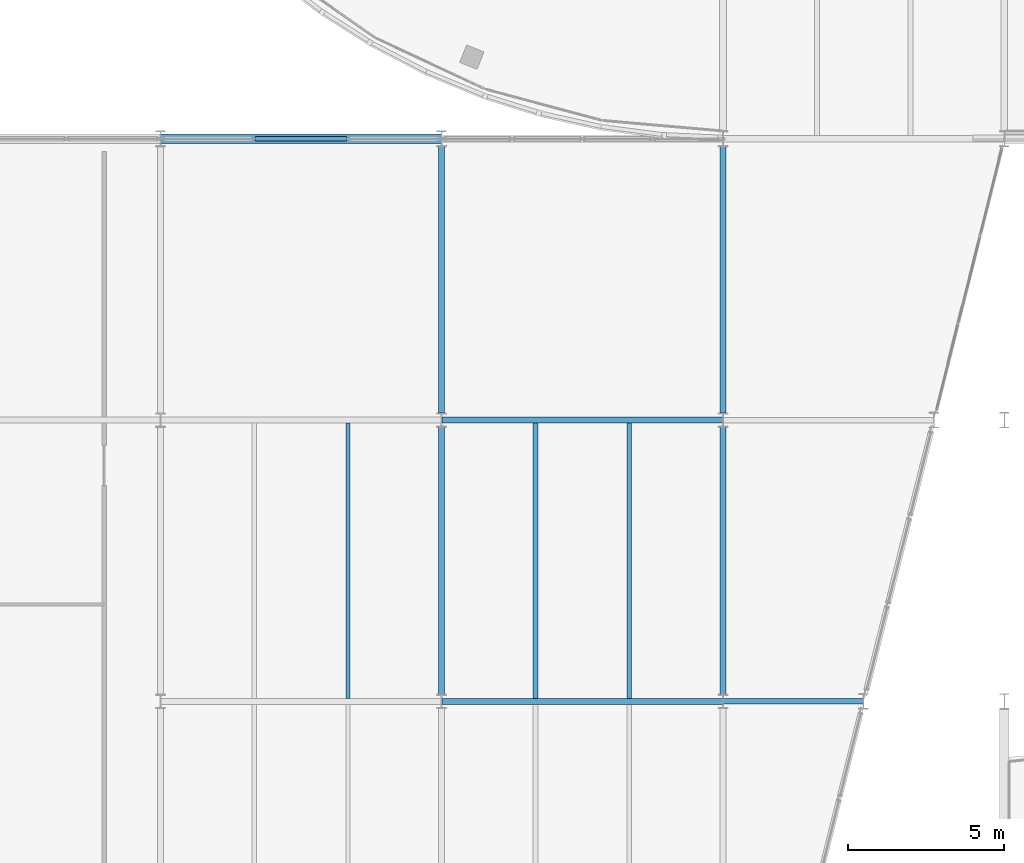
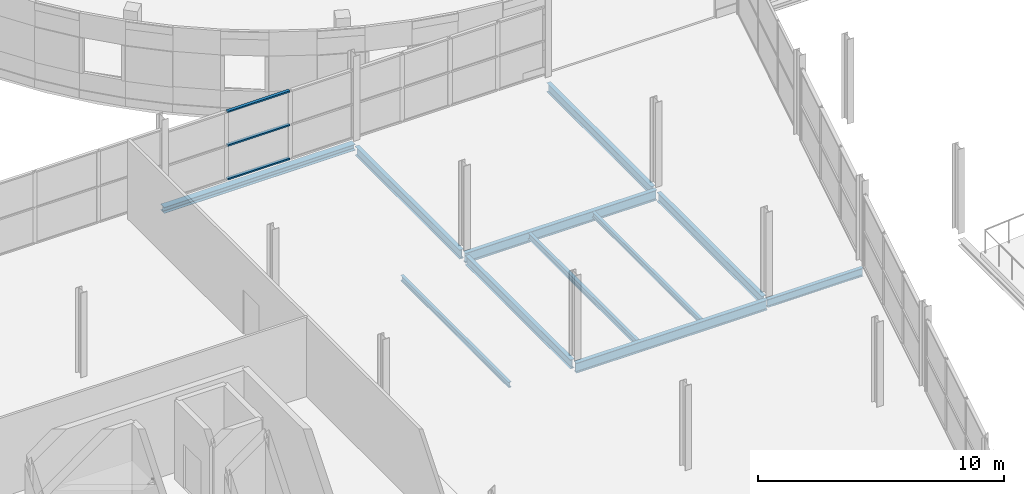
# One storey, part 65 of 135: 11 beams, 3 members, 1 element without a shape of its own.
"""IFC4 building model written with IfcOpenShell, lengths in metres."""

from ifc_helpers import new_model, si_unit, direction, frame, origin, origin_2d, place, context, subcontext, project, spatial, hollow_rectangle, i_section, extrude, material, layer, layer_set, material_profile, profile_set, type_object, element, aggregate, save


model = new_model("IFC4")

# Units and contexts
model_context = context("Model", 3, precision=1e-05, world=origin(), true_north=direction((0.0, 1.0)))
body_context = subcontext(model_context, "Body", "Model", "MODEL_VIEW")
ifc_project = project(units=[si_unit("LENGTHUNIT", "METRE"), si_unit("AREAUNIT", "SQUARE_METRE"), si_unit("VOLUMEUNIT", "CUBIC_METRE"), si_unit("PLANEANGLEUNIT", "RADIAN"), si_unit("MASSUNIT", "GRAM", prefix="KILO")], contexts=[model_context])

# Site, building, storey
site_placement = place(None, origin())
site = spatial("IfcSite", under=ifc_project, at=site_placement, CompositionType="ELEMENT")
building_placement = place(site_placement, origin())
building = spatial("IfcBuilding", under=site, at=building_placement, Name="Deido Ridge Mobility Hub", CompositionType="ELEMENT")
storey_placement = place(building_placement, frame((0.0, 0.0, 4.199951171875)))
storey = spatial("IfcBuildingStorey", under=building, at=storey_placement, Name="L01", CompositionType="ELEMENT", Elevation=4.199951171875)

# Beams
ifc_material_1 = material(Name="Steel S355J2 EN 10025-2", Category="steel")
ifc_material_profile_1 = material_profile(ifc_material_1, i_section(OverallWidth=0.179931640625, OverallDepth=0.39990234375, WebThickness=0.008544921875, FlangeThickness=0.013427734375, FilletRadius=0.02099609375, at=origin_2d()), Name="IPE 400")
ifc_profile_set_1 = profile_set([ifc_material_profile_1], Name="Steel S355J2 EN 10025-2")
beam_type_1 = type_object("IfcBeamType", Name="BM-IPE400", PredefinedType="BEAM", material=ifc_profile_set_1)
beam_1_placement = place(storey_placement, frame((45.007080078125, 63.0, -0.449951171875), z_axis=(1.0, 0.0, 0.0), x_axis=(0.0, 1.0, 0.0)))
element("IfcBeam", 1, at=beam_1_placement, inside=storey, type_object=beam_type_1, Name="Floor beam B5", PredefinedType="BEAM", context=body_context, shape_type="SweptSolid", body=[
    extrude(i_section(OverallWidth=0.179931640625, OverallDepth=0.39990234375, WebThickness=0.008544921875, FlangeThickness=0.013427734375, FilletRadius=0.02099609375, at=origin_2d()), origin(), (0.0, 0.0, 1.0), 4.48583984375),
])
ifc_material_profile_2 = material_profile(ifc_material_1, i_section(OverallWidth=0.18994140625, OverallDepth=0.449951171875, WebThickness=0.009521484375, FlangeThickness=0.0146484375, FilletRadius=0.02099609375, at=origin_2d()), Name="IPE 450")
ifc_profile_set_2 = profile_set([ifc_material_profile_2], Name="Steel S355J2 EN 10025-2")
beam_type_2 = type_object("IfcBeamType", Name="BM-IPE450", PredefinedType="BEAM", material=ifc_profile_set_2)
beam_2_placement = place(storey_placement, frame((36.0, 63.22509765625, -0.474853515625), z_axis=(0.0, 1.0, 0.0), x_axis=(-1.0, 0.0, 0.0)))
element("IfcBeam", 2, at=beam_2_placement, inside=storey, type_object=beam_type_2, Name="Floor beam B4", PredefinedType="BEAM", context=body_context, shape_type="SweptSolid", body=[
    extrude(i_section(OverallWidth=0.18994140625, OverallDepth=0.449951171875, WebThickness=0.009521484375, FlangeThickness=0.0146484375, FilletRadius=0.02099609375, at=origin_2d()), origin(), (0.0, 0.0, 1.0), 8.5498046875),
])
beam_3_placement = place(storey_placement, frame((36.0, 72.22509765625, -0.474853515625), z_axis=(0.0, 1.0, 0.0), x_axis=(-1.0, 0.0, 0.0)))
element("IfcBeam", 3, at=beam_3_placement, inside=storey, type_object=beam_type_2, Name="Floor beam B4", PredefinedType="BEAM", context=body_context, shape_type="SweptSolid", body=[
    extrude(i_section(OverallWidth=0.18994140625, OverallDepth=0.449951171875, WebThickness=0.009521484375, FlangeThickness=0.0146484375, FilletRadius=0.02099609375, at=origin_2d()), origin(), (0.0, 0.0, 1.0), 8.52490234375),
])
beam_4_placement = place(storey_placement, frame((45.0, 63.22509765625, -0.474853515625), z_axis=(0.0, 1.0, 0.0), x_axis=(-1.0, 0.0, 0.0)))
element("IfcBeam", 4, at=beam_4_placement, inside=storey, type_object=beam_type_2, Name="Floor beam B4", PredefinedType="BEAM", context=body_context, shape_type="SweptSolid", body=[
    extrude(i_section(OverallWidth=0.18994140625, OverallDepth=0.449951171875, WebThickness=0.009521484375, FlangeThickness=0.0146484375, FilletRadius=0.02099609375, at=origin_2d()), origin(), (0.0, 0.0, 1.0), 8.5498046875),
])
beam_5_placement = place(storey_placement, frame((45.0, 72.22509765625, -0.474853515625), z_axis=(0.0, 1.0, 0.0), x_axis=(-1.0, 0.0, 0.0)))
element("IfcBeam", 5, at=beam_5_placement, inside=storey, type_object=beam_type_2, Name="Floor beam B4", PredefinedType="BEAM", context=body_context, shape_type="SweptSolid", body=[
    extrude(i_section(OverallWidth=0.18994140625, OverallDepth=0.449951171875, WebThickness=0.009521484375, FlangeThickness=0.0146484375, FilletRadius=0.02099609375, at=origin_2d()), origin(), (0.0, 0.0, 1.0), 8.52490234375),
])
ifc_material_profile_3 = material_profile(ifc_material_1, i_section(OverallWidth=0.199951171875, OverallDepth=0.5, WebThickness=0.01025390625, FlangeThickness=0.01611328125, FilletRadius=0.02099609375, at=origin_2d()), Name="IPE 500")
ifc_profile_set_3 = profile_set([ifc_material_profile_3], Name="Steel S355J2 EN 10025-2")
beam_type_3 = type_object("IfcBeamType", Name="BM-IPE500", PredefinedType="BEAM", material=ifc_profile_set_3)
for number, where, z_axis, x_axis, name in (
    (6, (36.007080078125, 63.0, -0.5), (1.0, 0.0, 0.0), (0.0, 1.0, 0.0), "Floor beam B3"),
    (7, (36.007080078125, 72.0, -0.5), (1.0, 0.0, 0.0), (0.0, 1.0, 0.0), "Floor beam B3"),
):
    element("IfcBeam", number, at=place(storey_placement, frame(where, z_axis=z_axis, x_axis=x_axis)), inside=storey, type_object=beam_type_3, Name=name, PredefinedType="BEAM", context=body_context, shape_type="SweptSolid", body=[
        extrude(i_section(OverallWidth=0.199951171875, OverallDepth=0.5, WebThickness=0.01025390625, FlangeThickness=0.01611328125, FilletRadius=0.02099609375, at=origin_2d()), origin(), (0.0, 0.0, 1.0), 8.98583984375),
    ])
ifc_material_profile_4 = material_profile(ifc_material_1, i_section(OverallWidth=0.135009765625, OverallDepth=0.27001953125, WebThickness=0.006591796875, FlangeThickness=0.01025390625, FilletRadius=0.014892578125, at=origin_2d()), Name="IPE 270")
ifc_profile_set_4 = profile_set([ifc_material_profile_4], Name="Steel S355J2 EN 10025-2")
beam_type_4 = type_object("IfcBeamType", Name="JST-IPE270", PredefinedType="JOIST", material=ifc_profile_set_4)
for number, where, z_axis, x_axis, name in (
    (8, (33.0, 63.10009765625, -0.385009765625), (0.0, 1.0, 0.0), (-1.0, 0.0, 0.0), "Composite joist J4"),
    (9, (42.0, 63.10009765625, -0.385009765625), (0.0, 1.0, 0.0), (-1.0, 0.0, 0.0), "Composite joist J4"),
):
    element("IfcBeam", number, at=place(storey_placement, frame(where, z_axis=z_axis, x_axis=x_axis)), inside=storey, type_object=beam_type_4, Name=name, PredefinedType="JOIST", context=body_context, shape_type="SweptSolid", body=[
        extrude(i_section(OverallWidth=0.135009765625, OverallDepth=0.27001953125, WebThickness=0.006591796875, FlangeThickness=0.01025390625, FilletRadius=0.014892578125, at=origin_2d()), origin(), (0.0, 0.0, 1.0), 8.7998046875),
    ])
ifc_material_profile_5 = material_profile(ifc_material_1, i_section(OverallWidth=0.14990234375, OverallDepth=0.300048828125, WebThickness=0.007080078125, FlangeThickness=0.0107421875, FilletRadius=0.014892578125, at=origin_2d()), Name="IPE 300")
ifc_profile_set_5 = profile_set([ifc_material_profile_5], Name="Steel S355J2 EN 10025-2")
beam_type_5 = type_object("IfcBeamType", Name="JST-IPE300", PredefinedType="JOIST", material=ifc_profile_set_5)
beam_6_placement = place(storey_placement, frame((39.0, 63.10009765625, -0.39990234375), z_axis=(0.0, 1.0, 0.0), x_axis=(-1.0, 0.0, 0.0)))
element("IfcBeam", 10, at=beam_6_placement, inside=storey, type_object=beam_type_5, Name="Composite joist J3", PredefinedType="JOIST", context=body_context, shape_type="SweptSolid", body=[
    extrude(i_section(OverallWidth=0.14990234375, OverallDepth=0.300048828125, WebThickness=0.007080078125, FlangeThickness=0.0107421875, FilletRadius=0.014892578125, at=origin_2d()), origin(), (0.0, 0.0, 1.0), 8.7998046875),
])

# Curtain wall, members
ifc_material_2 = material(Name="Anodised aluminium EN AW-6063 T6", Category="aluminium")
ifc_layer = layer(ifc_material_2, 0.16796875, Name="Anodised aluminium EN AW-6063 T6")
ifc_layer_set = layer_set([ifc_layer], Name="Anodised aluminium EN AW-6063 T6")
curtain_wall_type = type_object("IfcCurtainWallType", Name="CW-GS-4", PredefinedType="USERDEFINED", material=ifc_layer_set)
curtain_wall_placement = place(storey_placement, origin())
curtain_wall = element("IfcCurtainWall", 11, at=curtain_wall_placement, inside=storey, type_object=curtain_wall_type, Name="Unitised curtain wall GS4", ObjectType="GLAZED SCREEN", PredefinedType="USERDEFINED")
ifc_material_profile_6 = material_profile(ifc_material_2, hollow_rectangle(XDim=0.14501953125, YDim=0.070068359375, WallThickness=0.00390625, at=origin_2d()), Name="RHS 145x70x4")
ifc_profile_set_6 = profile_set([ifc_material_profile_6], Name="Anodised aluminium EN AW-6063 T6")
member_type = type_object("IfcMemberType", Name="MEM-TRN-145X70", PredefinedType="USERDEFINED", material=ifc_profile_set_6)
member_1_placement = place(storey_placement, frame((30.037353515625, 81.0, 0.03515625), z_axis=(1.0, 0.0, 0.0), x_axis=(0.0, 1.0, 0.0)))
member_1 = element("IfcMember", 12, at=member_1_placement, type_object=member_type, Name="GS4 transom 2.1", ObjectType="TRANSOM", PredefinedType="USERDEFINED", context=body_context, shape_type="SweptSolid", body=[
    extrude(hollow_rectangle(XDim=0.14501953125, YDim=0.070068359375, WallThickness=0.00390625, at=origin_2d()), origin(), (0.0, 0.0, 1.0), 2.92529296875),
])
member_2_placement = place(storey_placement, frame((30.037353515625, 81.0, 1.7099609375), z_axis=(1.0, 0.0, 0.0), x_axis=(0.0, 1.0, 0.0)))
member_2 = element("IfcMember", 13, at=member_2_placement, type_object=member_type, Name="GS4 transom 2.2", ObjectType="TRANSOM", PredefinedType="USERDEFINED", context=body_context, shape_type="SweptSolid", body=[
    extrude(hollow_rectangle(XDim=0.14501953125, YDim=0.070068359375, WallThickness=0.00390625, at=origin_2d()), origin(), (0.0, 0.0, 1.0), 2.92529296875),
])
member_3_placement = place(storey_placement, frame((30.037353515625, 81.0, 3.385009765625), z_axis=(1.0, 0.0, 0.0), x_axis=(0.0, 1.0, 0.0)))
member_3 = element("IfcMember", 14, at=member_3_placement, type_object=member_type, Name="GS4 transom 2.3", ObjectType="TRANSOM", PredefinedType="USERDEFINED", context=body_context, shape_type="SweptSolid", body=[
    extrude(hollow_rectangle(XDim=0.14501953125, YDim=0.070068359375, WallThickness=0.00390625, at=origin_2d()), origin(), (0.0, 0.0, 1.0), 2.92529296875),
])
aggregate(curtain_wall, [member_1, member_2, member_3])

# Beam
ifc_material_profile_7 = material_profile(ifc_material_1, i_section(OverallWidth=0.300048828125, OverallDepth=0.300048828125, WebThickness=0.010986328125, FlangeThickness=0.01904296875, FilletRadius=0.027099609375, at=origin_2d()), Name="HEB 300")
ifc_profile_set_7 = profile_set([ifc_material_profile_7], Name="Steel S355J2 EN 10025-2")
beam_type_6 = type_object("IfcBeamType", Name="SPD-HEB300", PredefinedType="SPANDREL", material=ifc_profile_set_7)
beam_7_placement = place(storey_placement, frame((27.007080078125, 81.0, -0.39990234375), z_axis=(1.0, 0.0, 0.0), x_axis=(0.0, 1.0, 0.0)))
element("IfcBeam", 15, at=beam_7_placement, inside=storey, type_object=beam_type_6, Name="Floor beam SP1", PredefinedType="SPANDREL", context=body_context, shape_type="SweptSolid", body=[
    extrude(i_section(OverallWidth=0.300048828125, OverallDepth=0.300048828125, WebThickness=0.010986328125, FlangeThickness=0.01904296875, FilletRadius=0.027099609375, at=origin_2d()), origin(), (0.0, 0.0, 1.0), 8.98583984375),
])

save(model, "model.ifc")
